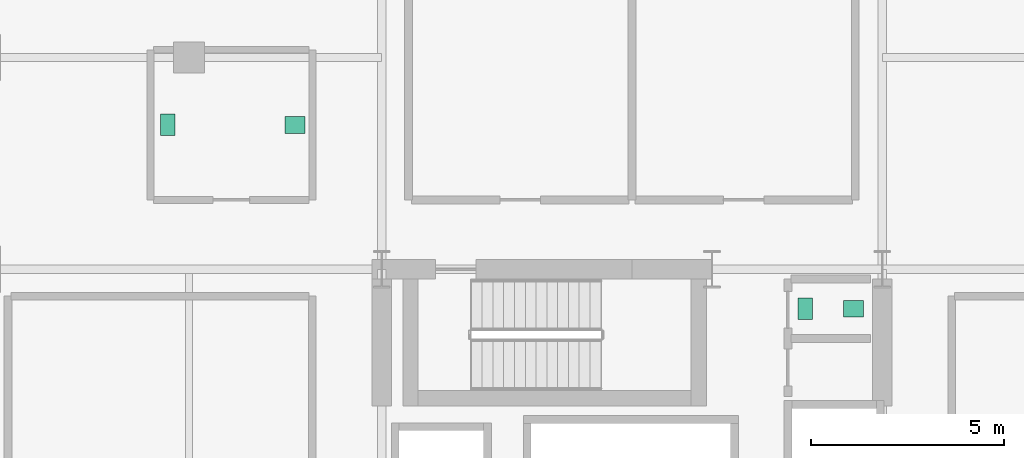
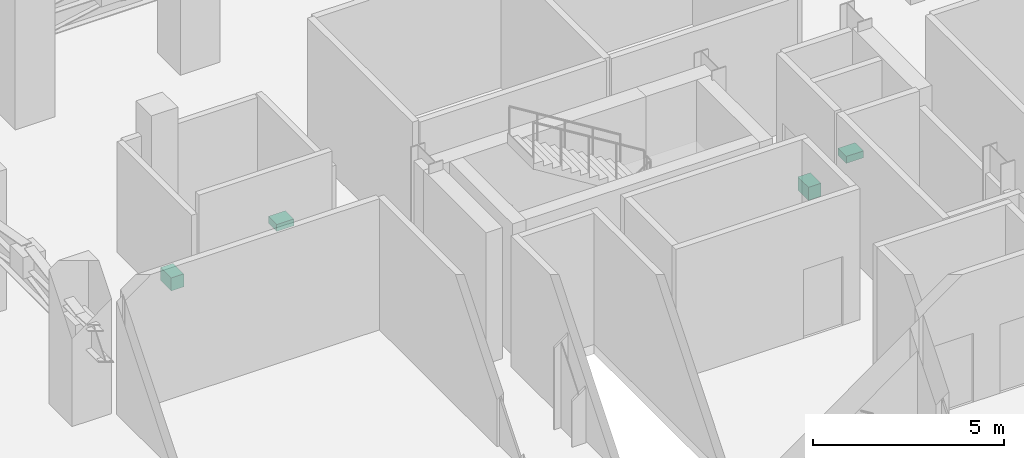
# One storey, part 22 of 22: 4 sanitary terminals.
"""IFC4 building model written with IfcOpenShell, lengths in metres."""

from ifc_helpers import new_model, si_unit, direction, frame, origin, origin_2d, place, context, subcontext, project, spatial, rectangle, extrude, material, type_object, element, save


model = new_model("IFC4")

# Units and contexts
model_context = context("Model", 3, precision=1e-05, world=origin(), true_north=direction((0.0, 1.0)))
body_context = subcontext(model_context, "Body", "Model", "MODEL_VIEW")
ifc_project = project(units=[si_unit("LENGTHUNIT", "METRE"), si_unit("AREAUNIT", "SQUARE_METRE"), si_unit("VOLUMEUNIT", "CUBIC_METRE"), si_unit("PLANEANGLEUNIT", "RADIAN"), si_unit("MASSUNIT", "GRAM", prefix="KILO")], contexts=[model_context])

# Site, building, storey
site_placement = place(None, origin())
site = spatial("IfcSite", under=ifc_project, at=site_placement, CompositionType="ELEMENT")
building_placement = place(site_placement, origin())
building = spatial("IfcBuilding", under=site, at=building_placement, Name="Barlavira Tower and Art Museum", CompositionType="ELEMENT")
storey_placement = place(building_placement, frame((0.0, 0.0, 120.60009765625)))
storey = spatial("IfcBuildingStorey", under=building, at=storey_placement, Name="L30", CompositionType="ELEMENT", Elevation=120.60009765625)

# Sanitary terminals
ifc_material = material(Name="Vitreous glazed ceramic", Category="ceramic")
sanitary_terminal_type_1 = type_object("IfcSanitaryTerminalType", Name="Countertop Ceramic Wash Hand Basin", PredefinedType="WASHHANDBASIN", material=ifc_material)
for number, where, z_axis, x_axis, name in (
    (1, (5.75, 6.47509765625, 0.73974609375), (0.0, 0.0, 1.0), (1.0, 0.0, 0.0), "L30-C-WC1 Wash Basin"),
    (2, (-8.75, 11.25, 0.73974609375), (0.0, 0.0, 1.0), (1.0, 0.0, 0.0), "L30-PLT-WC Wash Basin"),
):
    element("IfcSanitaryTerminal", number, at=place(storey_placement, frame(where, z_axis=z_axis, x_axis=x_axis)), inside=storey, type_object=sanitary_terminal_type_1, Name=name, PredefinedType="WASHHANDBASIN", context=body_context, shape_type="SweptSolid", body=[
        extrude(rectangle(XDim=0.52001953125, YDim=0.43994140625, at=origin_2d()), origin(), (0.0, 0.0, 1.0), 0.219970703125),
    ])
sanitary_terminal_type_2 = type_object("IfcSanitaryTerminalType", Name="Wall-Hung Dual-Flush Vitreous WC Pan", PredefinedType="TOILETPAN", material=ifc_material)
for number, where, z_axis, x_axis, name in (
    (3, (4.5, 6.47509765625, 0.0), (0.0, 0.0, 1.0), (1.0, 0.0, 0.0), "L30-C-WC1 WC Pan"),
    (4, (-12.050048828125, 11.25, 0.0), (0.0, 0.0, 1.0), (1.0, 0.0, 0.0), "L30-PLT-WC WC Pan"),
):
    element("IfcSanitaryTerminal", number, at=place(storey_placement, frame(where, z_axis=z_axis, x_axis=x_axis)), inside=storey, type_object=sanitary_terminal_type_2, Name=name, PredefinedType="TOILETPAN", context=body_context, shape_type="SweptSolid", body=[
        extrude(rectangle(XDim=0.3798828125, YDim=0.56005859375, at=origin_2d()), origin(), (0.0, 0.0, 1.0), 0.419921875),
    ])

save(model, "model.ifc")
